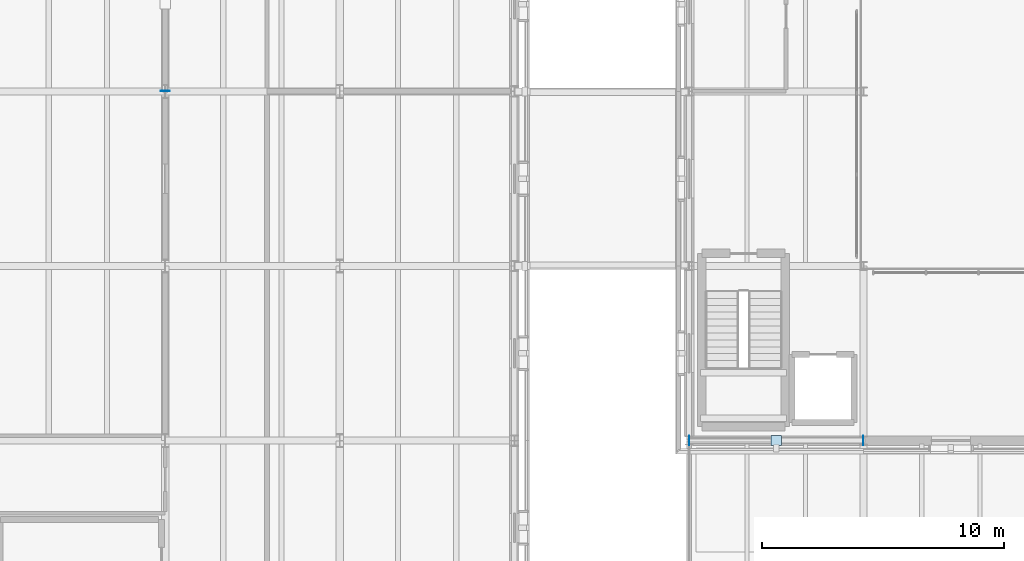
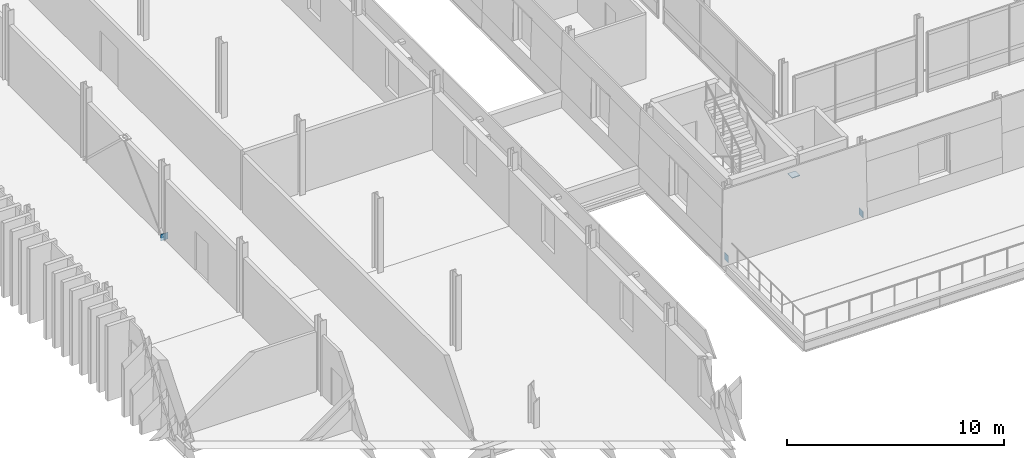
# One storey, part 51 of 91: 4 plates.
"""IFC4 building model written with IfcOpenShell, lengths in metres."""

from ifc_helpers import new_model, si_unit, direction, frame, origin, origin_2d, place, context, subcontext, project, spatial, rectangle, extrude, material, layer, layer_set, type_object, element, save


model = new_model("IFC4")

# Units and contexts
model_context = context("Model", 3, precision=1e-05, world=origin(), true_north=direction((0.0, 1.0)))
body_context = subcontext(model_context, "Body", "Model", "MODEL_VIEW")
ifc_project = project(units=[si_unit("LENGTHUNIT", "METRE"), si_unit("AREAUNIT", "SQUARE_METRE"), si_unit("VOLUMEUNIT", "CUBIC_METRE"), si_unit("PLANEANGLEUNIT", "RADIAN"), si_unit("MASSUNIT", "GRAM", prefix="KILO")], contexts=[model_context])

# Site, building, storey
site_placement = place(None, origin())
site = spatial("IfcSite", under=ifc_project, at=site_placement, CompositionType="ELEMENT")
building_placement = place(site_placement, origin())
building = spatial("IfcBuilding", under=site, at=building_placement, Name="Narikvali Park Central Library", CompositionType="ELEMENT")
storey_placement = place(building_placement, frame((0.0, 0.0, 14.39990234375)))
storey = spatial("IfcBuildingStorey", under=building, at=storey_placement, Name="L03", CompositionType="ELEMENT", Elevation=14.39990234375)

# Plates
ifc_material = material(Name="Steel S355", Category="steel")
ifc_layer_1 = layer(ifc_material, 0.013916015625, Name="Steel S355")
ifc_layer_set_1 = layer_set([ifc_layer_1], Name="Steel S355")
plate_type_1 = type_object("IfcPlateType", Name="Steel Hollow End Cap Plate 14", PredefinedType="SHEET", material=ifc_layer_set_1)
plate_1_placement = place(storey_placement, frame((7.199951171875, 72.01220703125, -0.177734375), z_axis=(0.0, 0.0, 1.0), x_axis=(-1.0, 0.0, 0.0)))
element("IfcPlate", 1, at=plate_1_placement, inside=storey, type_object=plate_type_1, Name="Hollow Section Steel End Cap BR-ECAP-1-L03-A0", PredefinedType="SHEET", context=body_context, shape_type="SweptSolid", body=[
    extrude(rectangle(XDim=0.3798828125, YDim=0.013916015625, at=origin_2d()), origin(), (0.0, 0.0, 1.0), 0.3798828125),
])
for number, where, z_axis, x_axis, name in (
    (2, (28.81201171875, 57.60009765625, -0.177734375), (0.0, 0.0, 1.0), (-1.0, 0.0, 0.0), "Hollow Section Steel End Cap BR-ECAP-3-L03-A0"),
    (3, (35.98779296875, 57.60009765625, -0.177734375), (0.0, 0.0, 1.0), (1.0, 0.0, 0.0), "Hollow Section Steel End Cap BR-ECAP-3-L03-B0"),
):
    element("IfcPlate", number, at=place(storey_placement, frame(where, z_axis=z_axis, x_axis=x_axis)), inside=storey, type_object=plate_type_1, Name=name, PredefinedType="SHEET", context=body_context, shape_type="SweptSolid", body=[
        extrude(rectangle(XDim=0.013916015625, YDim=0.3798828125, at=origin_2d()), origin(), (0.0, 0.0, 1.0), 0.3798828125),
    ])
ifc_layer_2 = layer(ifc_material, 0.0380859375, Name="Steel S355")
ifc_layer_set_2 = layer_set([ifc_layer_2], Name="Steel S355")
plate_type_2 = type_object("IfcPlateType", Name="Truss Splice Gusset Plate 38", PredefinedType="SHEET", material=ifc_layer_set_2)
plate_2_placement = place(storey_placement, frame((32.39990234375, 57.60009765625, 3.401123046875), z_axis=(0.0, 0.0, 1.0), x_axis=(1.0, 0.0, 0.0)))
element("IfcPlate", 4, at=plate_2_placement, inside=storey, type_object=plate_type_2, Name="V4 L03 Chevron Apex Gusset Cap Plate", PredefinedType="SHEET", context=body_context, shape_type="SweptSolid", body=[
    extrude(rectangle(XDim=0.419921875, YDim=0.419921875, at=origin_2d()), origin(), (0.0, 0.0, 1.0), 0.0380859375),
])

save(model, "model.ifc")
